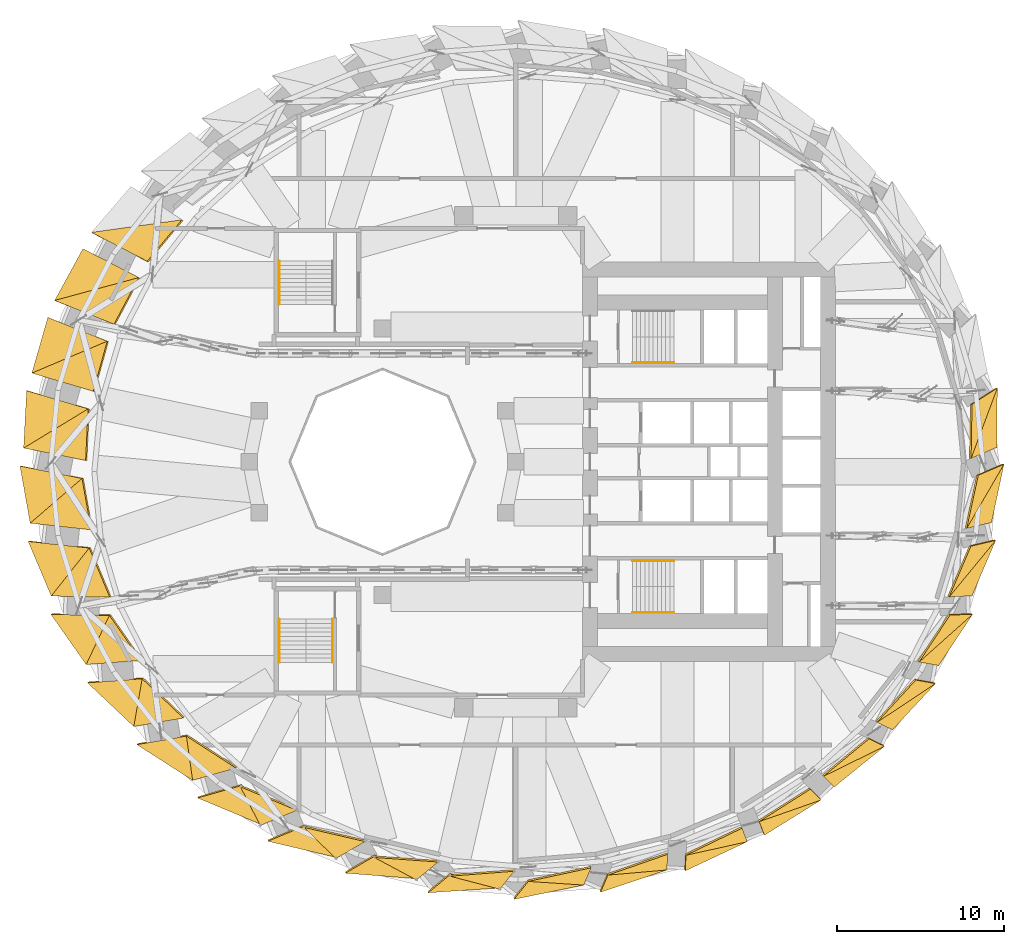
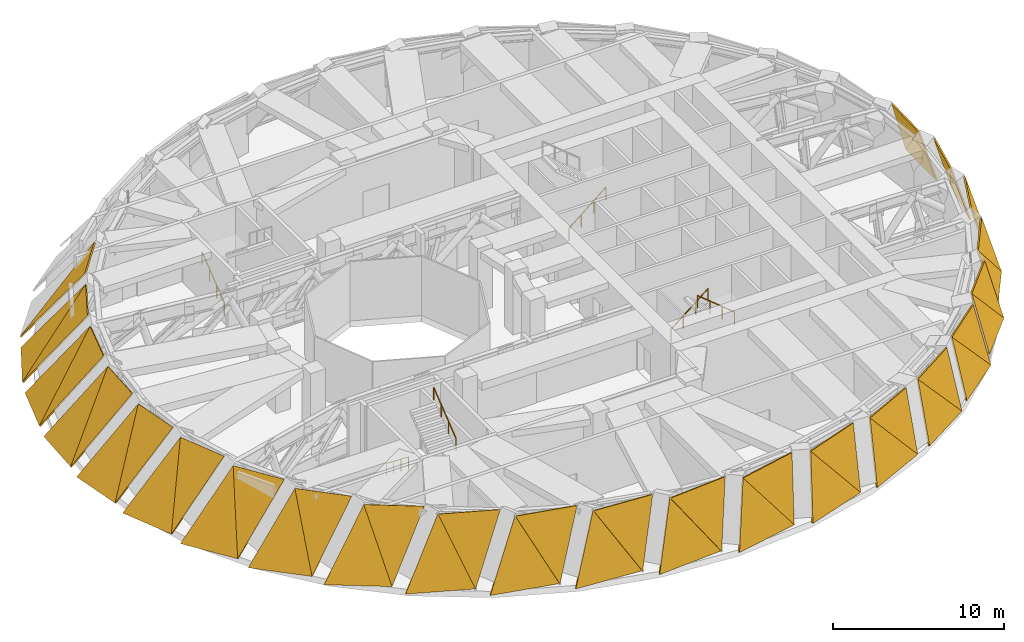
# One storey, part 14 of 15: 45 shading devices, 6 railings.
"""IFC4 building model written with IfcOpenShell, lengths in metres."""

import ifcopenshell
import ifcopenshell.guid

model = None  # the IFC model being written
_history = None  # IfcOwnerHistory: only IFC2X3 demands one
_inside = {}  # id of a spatial element -> (the spatial element, [elements in it])
_under = {}  # id of a project, library or spatial element -> (it, [spatial elements below it])
_declared = {}  # id of a project -> (the project, [libraries it declares])
_typed = {}  # id of a type object -> (the type object, [elements of that type])
_made_of = {}  # id of a material, layer set ... -> (it, [elements and type objects made of it])


def new_model(schema):
    """Start an empty IFC model of exactly this schema.

    Asked for "IFC4X3", IfcOpenShell would pick the latest addendum, in which some entities
    have other attributes; the version numbers below select the first issue.
    IFC2X3 requires an IfcOwnerHistory on every rooted entity: one is made here for all.
    """
    global model, _history
    if schema == "IFC4X3":
        model = ifcopenshell.file(schema_version=(4, 3, 0, 0))
    else:
        model = ifcopenshell.file(schema=schema)
    _inside.clear()
    _under.clear()
    _declared.clear()
    _typed.clear()
    _made_of.clear()
    _history = None
    if model.schema == "IFC2X3":
        org = make("IfcOrganization", Name="unknown")
        user = make(
            "IfcPersonAndOrganization",
            ThePerson=make("IfcPerson", FamilyName="unknown"),
            TheOrganization=org,
        )
        app = make(
            "IfcApplication",
            ApplicationDeveloper=org,
            Version="unknown",
            ApplicationFullName="unknown",
            ApplicationIdentifier="unknown",
        )
        _history = make(
            "IfcOwnerHistory",
            OwningUser=user,
            OwningApplication=app,
            ChangeAction="ADDED",
            CreationDate=0,
        )
    return model


def make(cls, **values):
    """One entity of the class cls with the attributes given. An attribute that is None is left unset."""
    return model.create_entity(
        cls, **{name: value for name, value in values.items() if value is not None}
    )


def rooted(cls, **values):
    """An entity with a GlobalId (a new one), such as an element, a storey or a relation."""
    return make(cls, GlobalId=ifcopenshell.guid.new(), OwnerHistory=_history, **values)


def si_unit(unit_type, name, prefix=None):
    """IfcSIUnit, for example si_unit("LENGTHUNIT", "METRE", prefix="MILLI")."""
    return make("IfcSIUnit", UnitType=unit_type, Prefix=prefix, Name=name)


def assignment(units):
    """IfcUnitAssignment: the units of a project."""
    return None if units is None else make("IfcUnitAssignment", Units=units)


def point(xyz):
    """IfcCartesianPoint."""
    return None if xyz is None else make("IfcCartesianPoint", Coordinates=xyz)


def direction(xyz):
    """IfcDirection."""
    return None if xyz is None else make("IfcDirection", DirectionRatios=xyz)


def frame(location, z_axis=None, x_axis=None):
    """IfcAxis2Placement3D, a coordinate frame: its origin and axes. An axis left out is left unset."""
    return make(
        "IfcAxis2Placement3D",
        Location=point(location),
        Axis=direction(z_axis),
        RefDirection=direction(x_axis),
    )


def frame_2d(location, x_axis=None):
    """IfcAxis2Placement2D, a coordinate frame in the plane: its origin and x axis."""
    return make(
        "IfcAxis2Placement2D", Location=point(location), RefDirection=direction(x_axis)
    )


def origin():
    """The frame at (0, 0, 0) with its axes left unset."""
    return frame((0.0, 0.0, 0.0))


def origin_2d():
    """The frame at (0, 0) in the plane with its x axis left unset."""
    return frame_2d((0.0, 0.0))


def place(relative_to, where):
    """IfcLocalPlacement: puts the frame where relative to a parent placement (None: the world)."""
    return make(
        "IfcLocalPlacement", PlacementRelTo=relative_to, RelativePlacement=where
    )


def context(
    kind, dimensions, precision=None, world=None, true_north=None, identifier=None
):
    """IfcGeometricRepresentationContext, for example the 3D "Model" context."""
    return make(
        "IfcGeometricRepresentationContext",
        ContextIdentifier=identifier,
        ContextType=kind,
        CoordinateSpaceDimension=dimensions,
        Precision=precision,
        WorldCoordinateSystem=world,
        TrueNorth=true_north,
    )


def subcontext(parent, identifier, kind, view, scale=None):
    """IfcGeometricRepresentationSubContext, for example "Body" below "Model"."""
    return make(
        "IfcGeometricRepresentationSubContext",
        ContextIdentifier=identifier,
        ContextType=kind,
        ParentContext=parent,
        TargetScale=scale,
        TargetView=view,
    )


def project(units=None, contexts=None):
    """IfcProject with its units and contexts."""
    return rooted(
        "IfcProject",
        Name="project",
        RepresentationContexts=contexts,
        UnitsInContext=assignment(units),
    )


def spatial(cls, under=None, at=None, **own):
    """A site, building, storey or space (cls), placed at a placement, below another one or the project."""
    s = rooted(cls, ObjectPlacement=at, **own)
    if under is not None:
        _under.setdefault(under.id(), (under, []))[1].append(s)
    return s


def polyline(points):
    """IfcPolyline through the points."""
    return make("IfcPolyline", Points=[point(p) for p in points])


def profile(cls, at=None, kind="AREA", **sizes):
    """A parametric profile (cls). Its sizes go by their IFC names, for example OverallWidth=200.0."""
    return make(cls, ProfileType=kind, Position=at, **sizes)


def circle(**sizes):
    """IfcCircleProfileDef."""
    return profile("IfcCircleProfileDef", **sizes)


def outline(outer, holes=None, kind="AREA"):
    """IfcArbitraryClosedProfileDef: a profile drawn as a closed curve; with holes, ...WithVoids."""
    if holes is None:
        return make("IfcArbitraryClosedProfileDef", ProfileType=kind, OuterCurve=outer)
    return make(
        "IfcArbitraryProfileDefWithVoids",
        ProfileType=kind,
        OuterCurve=outer,
        InnerCurves=holes,
    )


def extrude(swept, where, along, depth):
    """IfcExtrudedAreaSolid: the profile swept, set in the frame where, extruded along a direction by depth."""
    return make(
        "IfcExtrudedAreaSolid",
        SweptArea=swept,
        Position=where,
        ExtrudedDirection=direction(along),
        Depth=depth,
    )


def shape(context_of_items, identifier, shape_type, items):
    """IfcShapeRepresentation: the items that make up one representation, for example the "Body"."""
    return make(
        "IfcShapeRepresentation",
        ContextOfItems=context_of_items,
        RepresentationIdentifier=identifier,
        RepresentationType=shape_type,
        Items=items,
    )


def material(Name=None, Category=None):
    """IfcMaterial."""
    return make("IfcMaterial", Name=Name, Category=Category)


def layer(
    of_material, thickness, ventilated=None, Name=None, Category=None, Priority=None
):
    """IfcMaterialLayer: one layer of a wall or slab, of a material (None: an air gap)."""
    return make(
        "IfcMaterialLayer",
        Material=of_material,
        LayerThickness=thickness,
        IsVentilated=ventilated,
        Name=Name,
        Category=Category,
        Priority=Priority,
    )


def layer_set(layers, Name=None):
    """IfcMaterialLayerSet."""
    return make("IfcMaterialLayerSet", MaterialLayers=layers, LayerSetName=Name)


def made_of(thing, what):
    """Note that an element or type object is made of a material, layer set ...; save() writes the relation."""
    if what is not None:
        _made_of.setdefault(what.id(), (what, []))[1].append(thing)
    return thing


def type_object(cls, material=None, **own):
    """A type object (cls), such as IfcWallType, which elements share."""
    return made_of(rooted(cls, **own), material)


def element(
    cls,
    number,
    at=None,
    inside=None,
    cuts=None,
    type_object=None,
    material=None,
    context=None,
    identifier="Body",
    shape_type=None,
    held_by="IfcProductDefinitionShape",
    body=None,
    shapes=None,
    **own,
):
    """One element of the class cls, such as IfcWall. Its Tag is "e" and its number.

    at: its placement. inside: the storey or other place that contains it. cuts: it is an
    opening in that element (IfcRelVoidsElement). A single representation is given by context,
    identifier, shape_type and body (its items); several are given by shapes. held_by: the class
    of the entity that holds the representations. save() writes the other relations.
    """
    e = rooted(cls, Tag="e%d" % number, ObjectPlacement=at, **own)
    if body is not None:
        shapes = [shape(context, identifier, shape_type, body)]
    if shapes is not None:
        e.Representation = make(held_by, Representations=shapes)
    if inside is not None:
        _inside.setdefault(inside.id(), (inside, []))[1].append(e)
    if cuts is not None:
        rooted(
            "IfcRelVoidsElement", RelatingBuildingElement=cuts, RelatedOpeningElement=e
        )
    if type_object is not None:
        _typed.setdefault(type_object.id(), (type_object, []))[1].append(e)
    return made_of(e, material)


def aggregate(whole, parts):
    """IfcRelAggregates: a whole, such as a stair, and the parts it consists of."""
    return rooted("IfcRelAggregates", RelatingObject=whole, RelatedObjects=parts)


def save(model, path):
    """Write the relations noted so far, then the file.

    IfcRelAggregates (storeys below a building ...), IfcRelContainedInSpatialStructure (elements
    in a storey), IfcRelDefinesByType, IfcRelAssociatesMaterial and IfcRelDeclares: one each for
    every whole, place, type object, material and project.
    """
    for whole, parts in _under.values():
        aggregate(whole, parts)
    for where, things in _inside.values():
        rooted(
            "IfcRelContainedInSpatialStructure",
            RelatedElements=things,
            RelatingStructure=where,
        )
    for kind, things in _typed.values():
        rooted("IfcRelDefinesByType", RelatedObjects=things, RelatingType=kind)
    for what, things in _made_of.values():
        rooted("IfcRelAssociatesMaterial", RelatedObjects=things, RelatingMaterial=what)
    for by, libraries in _declared.values():
        rooted("IfcRelDeclares", RelatingContext=by, RelatedDefinitions=libraries)
    model.write(path)


model = new_model("IFC4")

# Units and contexts
model_context = context("Model", 3, precision=1e-05, world=origin(), true_north=direction((0.0, 1.0)))
body_context = subcontext(model_context, "Body", "Model", "MODEL_VIEW")
ifc_project = project(units=[si_unit("LENGTHUNIT", "METRE"), si_unit("AREAUNIT", "SQUARE_METRE"), si_unit("VOLUMEUNIT", "CUBIC_METRE"), si_unit("PLANEANGLEUNIT", "RADIAN"), si_unit("MASSUNIT", "GRAM", prefix="KILO")], contexts=[model_context])

# Site, building, storey
site_placement = place(None, origin())
site = spatial("IfcSite", under=ifc_project, at=site_placement, CompositionType="ELEMENT")
building_placement = place(site_placement, origin())
building = spatial("IfcBuilding", under=site, at=building_placement, Name="Taillehof Tower", CompositionType="ELEMENT")
storey_placement = place(building_placement, frame((0.0, 0.0, 84.39990234375)))
storey = spatial("IfcBuildingStorey", under=building, at=storey_placement, Name="L23", CompositionType="ELEMENT", Elevation=84.39990234375)

# Shading devices
ifc_material_1 = material(Name="Aluminium louvre blades", Category="aluminium")
ifc_layer = layer(ifc_material_1, 0.10009765625)
ifc_layer_set = layer_set([ifc_layer], Name="Louvre panel 100")
shading_device_type = type_object("IfcShadingDeviceType", Name="Louvre panel 100", PredefinedType="USERDEFINED", material=ifc_layer_set)
shading_device_1_placement = place(storey_placement, frame((28.866943359375, 0.86279296875, 0.0), z_axis=(0.9432468812, -0.008922343519, 0.331972458034), x_axis=(0.009458758418, 0.999955264944, 0.0)))
element("IfcShadingDevice", 1, at=shading_device_1_placement, inside=storey, type_object=shading_device_type, Name="Louvre panel L23 bay 1a", ObjectType="LOUVER", PredefinedType="USERDEFINED", context=body_context, shape_type="SweptSolid", body=[
    extrude(outline(polyline([(0.0, 0.0), (3.561926921125352, 0.0), (-0.6749446328247951, 4.6222388423697085), (0.0, 0.0)])), origin(), (0.0, 0.0, -1.0), 0.10009765625),
])
shading_device_2_placement = place(storey_placement, frame((28.900634765625, 4.424560546875, 0.0), z_axis=(0.94546226615, -0.016631947848, 0.325306750003), x_axis=(-0.32158237832, -0.206557820475, 0.924077183332)))
element("IfcShadingDevice", 2, at=shading_device_2_placement, inside=storey, type_object=shading_device_type, Name="Louvre panel L23 bay 1b", ObjectType="LOUVER", PredefinedType="USERDEFINED", context=body_context, shape_type="SweptSolid", body=[
    extrude(outline(polyline([(0.0, 0.0), (4.718336845146462, 0.0), (5.4075171196787535, 3.1741031931814057), (0.0, 0.0)])), origin(), (0.0, 0.0, -1.0), 0.10009765625),
])
shading_device_3_placement = place(storey_placement, frame((-25.470947265625, 13.764892578125, 0.0), z_axis=(-0.5859557478, 0.489885190561, 0.645498537326), x_axis=(0.581310895897, -0.300857598102, 0.756017425709)))
element("IfcShadingDevice", 3, at=shading_device_3_placement, inside=storey, type_object=shading_device_type, Name="Louvre panel L23 bay 15b", ObjectType="LOUVER", PredefinedType="USERDEFINED", context=body_context, shape_type="SweptSolid", body=[
    extrude(outline(polyline([(0.0, 0.0), (5.767204926246643, -2.7755575615628914e-16), (6.228438403264014, 3.214233987699142), (0.0, 0.0)])), origin(), (0.0, 0.0, -1.0), 0.10009765625),
])
shading_device_4_placement = place(storey_placement, frame((-25.9765625, 12.787841796875, 0.0), z_axis=(-0.663538596985, 0.362493986492, 0.654457515863), x_axis=(-0.479426759737, -0.877581894782, 0.0)))
element("IfcShadingDevice", 4, at=shading_device_4_placement, inside=storey, type_object=shading_device_type, Name="Louvre panel L23 bay 16a", ObjectType="LOUVER", PredefinedType="USERDEFINED", context=body_context, shape_type="SweptSolid", body=[
    extrude(outline(polyline([(0.0, 0.0), (3.5417256387774927, 1.1102230246251565e-16), (-0.08459808068591124, 5.766584415931826), (0.0, 0.0)])), origin(), (0.0, 0.0, -1.0), 0.10009765625),
])
shading_device_5_placement = place(storey_placement, frame((-27.674560546875, 9.6796875, 0.0), z_axis=(-0.664514076254, 0.35330210964, 0.65848208919), x_axis=(0.613399417793, -0.245393394167, 0.750681847623)))
element("IfcShadingDevice", 5, at=shading_device_5_placement, inside=storey, type_object=shading_device_type, Name="Louvre panel L23 bay 16b", ObjectType="LOUVER", PredefinedType="USERDEFINED", context=body_context, shape_type="SweptSolid", body=[
    extrude(outline(polyline([(0.0, 0.0), (5.808196156175807, 2.7755575615628914e-16), (6.034113384713633, 3.1612015444812283), (0.0, 0.0)])), origin(), (0.0, 0.0, -1.0), 0.10009765625),
])
shading_device_6_placement = place(storey_placement, frame((-28.083251953125, 8.658447265625, 0.0), z_axis=(-0.723043664628, 0.20789818569, 0.6587762924), x_axis=(-0.276335824289, -0.961061138645, 0.0)))
element("IfcShadingDevice", 6, at=shading_device_6_placement, inside=storey, type_object=shading_device_type, Name="Louvre panel L23 bay 17a", ObjectType="LOUVER", PredefinedType="USERDEFINED", context=body_context, shape_type="SweptSolid", body=[
    extrude(outline(polyline([(0.0, 0.0), (3.473892463886985, 0.0), (0.3852798446193282, 5.79540352606663), (0.0, 0.0)])), origin(), (0.0, 0.0, -1.0), 0.10009765625),
])
shading_device_7_placement = place(storey_placement, frame((-29.043212890625, 5.31982421875, 0.0), z_axis=(-0.722622501183, 0.200943783443, 0.661391197915), x_axis=(0.634257180625, -0.187677636245, 0.749996622445)))
element("IfcShadingDevice", 7, at=shading_device_7_placement, inside=storey, type_object=shading_device_type, Name="Louvre panel L23 bay 17b", ObjectType="LOUVER", PredefinedType="USERDEFINED", context=body_context, shape_type="SweptSolid", body=[
    extrude(outline(polyline([(0.0, 0.0), (5.813502743067873, 1.8735013540549517e-16), (5.779534745134219, 3.118205905906676), (0.0, 0.0)])), origin(), (0.0, 0.0, -1.0), 0.10009765625),
])
shading_device_8_placement = place(storey_placement, frame((-29.355224609375, 4.26513671875, 0.0), z_axis=(-0.757987845377, 0.040052339754, 0.651037814832), x_axis=(-0.052766731954, -0.998606865588, 0.0)))
element("IfcShadingDevice", 8, at=shading_device_8_placement, inside=storey, type_object=shading_device_type, Name="Louvre panel L23 bay 18a", ObjectType="LOUVER", PredefinedType="USERDEFINED", context=body_context, shape_type="SweptSolid", body=[
    extrude(outline(polyline([(0.0, 0.0), (3.451585866798062, -1.3877787807814457e-17), (0.8949800121113698, 5.7441992411108815), (0.0, 0.0)])), origin(), (0.0, 0.0, -1.0), 0.10009765625),
])
shading_device_9_placement = place(storey_placement, frame((-29.537353515625, 0.818359375, 0.0), z_axis=(-0.757095157225, 0.036253749358, 0.652297929296), x_axis=(0.643749683548, -0.128741489105, 0.754328823468)))
element("IfcShadingDevice", 9, at=shading_device_9_placement, inside=storey, type_object=shading_device_type, Name="Louvre panel L23 bay 18b", ObjectType="LOUVER", PredefinedType="USERDEFINED", context=body_context, shape_type="SweptSolid", body=[
    extrude(outline(polyline([(0.0, 0.0), (5.78011509864873, 0.0), (5.47659193469053, 3.0885270273513434), (0.0, 0.0)])), origin(), (0.0, 0.0, -1.0), 0.10009765625),
])
shading_device_10_placement = place(storey_placement, frame((-29.7529296875, -0.26025390625, 0.0), z_axis=(-0.76493549629, -0.135889246225, 0.629609243321), x_axis=(0.174909452316, -0.984584523284, 0.0)))
element("IfcShadingDevice", 10, at=shading_device_10_placement, inside=storey, type_object=shading_device_type, Name="Louvre panel L23 bay 19a", ObjectType="LOUVER", PredefinedType="USERDEFINED", context=body_context, shape_type="SweptSolid", body=[
    extrude(outline(polyline([(0.0, 0.0), (3.4811538809719593, 0.0), (1.3834981908506427, 5.612099723770062), (0.0, 0.0)])), origin(), (0.0, 0.0, -1.0), 0.10009765625),
])
shading_device_11_placement = place(storey_placement, frame((-29.14404296875, -3.687744140625, 0.0), z_axis=(-0.764666471726, -0.136512960444, 0.629801078634), x_axis=(0.641589768826, -0.069676648895, 0.763876778765)))
element("IfcShadingDevice", 11, at=shading_device_11_placement, inside=storey, type_object=shading_device_type, Name="Louvre panel L23 bay 19b", ObjectType="LOUVER", PredefinedType="USERDEFINED", context=body_context, shape_type="SweptSolid", body=[
    extrude(outline(polyline([(0.0, 0.0), (5.707867476905781, 0.0), (5.1402842107399485, 3.077872794099187), (0.0, 0.0)])), origin(), (0.0, 0.0, -1.0), 0.10009765625),
])
shading_device_12_placement = place(storey_placement, frame((-29.262939453125, -4.78125, 0.0), z_axis=(-0.741161258182, -0.312848938976, 0.593974351931), x_axis=(0.388881504071, -0.921287781202, 0.0)))
element("IfcShadingDevice", 12, at=shading_device_12_placement, inside=storey, type_object=shading_device_type, Name="Louvre panel L23 bay 20a", ObjectType="LOUVER", PredefinedType="USERDEFINED", context=body_context, shape_type="SweptSolid", body=[
    extrude(outline(polyline([(0.0, 0.0), (3.5602657104567714, -1.1102230246251565e-16), (1.790527430821084, 5.419756696881882), (0.0, 0.0)])), origin(), (0.0, 0.0, -1.0), 0.10009765625),
])
shading_device_13_placement = place(storey_placement, frame((-27.87841796875, -8.061279296875, 0.0), z_axis=(-0.742292976469, -0.31115917993, 0.593448482878), x_axis=(0.627355968866, -0.011553918392, 0.778646900269)))
element("IfcShadingDevice", 13, at=shading_device_13_placement, inside=storey, type_object=shading_device_type, Name="Louvre panel L23 bay 20b", ObjectType="LOUVER", PredefinedType="USERDEFINED", context=body_context, shape_type="SweptSolid", body=[
    extrude(outline(polyline([(0.0, 0.0), (5.599595169991398, 1.1102230246251565e-16), (4.790540347878245, 3.091352358944946), (0.0, 0.0)])), origin(), (0.0, 0.0, -1.0), 0.10009765625),
])
shading_device_14_placement = place(storey_placement, frame((-27.898681640625, -9.1611328125, 0.0), z_axis=(-0.685682647471, -0.482169278952, 0.54530000311), x_axis=(0.575215602796, -0.818001840035, 0.0)))
element("IfcShadingDevice", 14, at=shading_device_14_placement, inside=storey, type_object=shading_device_type, Name="Louvre panel L23 bay 21a", ObjectType="LOUVER", PredefinedType="USERDEFINED", context=body_context, shape_type="SweptSolid", body=[
    extrude(outline(polyline([(0.0, 0.0), (3.6794118028772944, 1.1102230246251565e-16), (2.073620067439929, 5.201496504247735), (0.0, 0.0)])), origin(), (0.0, 0.0, -1.0), 0.10009765625),
])
shading_device_15_placement = place(storey_placement, frame((-25.7822265625, -12.1708984375, 0.0), z_axis=(-0.688302033312, -0.479510865483, 0.544343311544), x_axis=(0.600488035433, 0.044392839427, 0.798400522989)))
element("IfcShadingDevice", 15, at=shading_device_15_placement, inside=storey, type_object=shading_device_type, Name="Louvre panel L23 bay 21b", ObjectType="LOUVER", PredefinedType="USERDEFINED", context=body_context, shape_type="SweptSolid", body=[
    extrude(outline(polyline([(0.0, 0.0), (5.4610528128787, 0.0), (4.450424151550718, 3.1349414432480924), (0.0, 0.0)])), origin(), (0.0, 0.0, -1.0), 0.10009765625),
])
shading_device_16_placement = place(storey_placement, frame((-25.701171875, -13.267822265625, 0.0), z_axis=(-0.600101411465, -0.63486644581, 0.486644523181), x_axis=(0.726724340919, -0.686929204733, 0.0)))
element("IfcShadingDevice", 16, at=shading_device_16_placement, inside=storey, type_object=shading_device_type, Name="Louvre panel L23 bay 22a", ObjectType="LOUVER", PredefinedType="USERDEFINED", context=body_context, shape_type="SweptSolid", body=[
    extrude(outline(polyline([(0.0, 0.0), (3.8220653062353236, 2.220446049250313e-16), (2.2166114860669612, 4.990964971314303), (0.0, 0.0)])), origin(), (0.0, 0.0, -1.0), 0.10009765625),
])
shading_device_17_placement = place(storey_placement, frame((-22.923583984375, -15.893310546875, 0.0), z_axis=(-0.603392697188, -0.632596178335, 0.485529945664), x_axis=(0.56052528963, 0.096621646343, 0.822481402309)))
element("IfcShadingDevice", 17, at=shading_device_17_placement, inside=storey, type_object=shading_device_type, Name="Louvre panel L23 bay 22b", ObjectType="LOUVER", PredefinedType="USERDEFINED", context=body_context, shape_type="SweptSolid", body=[
    extrude(outline(polyline([(0.0, 0.0), (5.301162323715784, -2.220446049250313e-16), (4.144430984768338, 3.2110598135306834), (0.0, 0.0)])), origin(), (0.0, 0.0, -1.0), 0.10009765625),
])
shading_device_18_placement = place(storey_placement, frame((-22.736572265625, -16.9775390625, 0.0), z_axis=(-0.488975582891, -0.762937859677, 0.422881427361), x_axis=(0.8419228294, -0.539597951567, 0.0)))
element("IfcShadingDevice", 18, at=shading_device_18_placement, inside=storey, type_object=shading_device_type, Name="Louvre panel L23 bay 23a", ObjectType="LOUVER", PredefinedType="USERDEFINED", context=body_context, shape_type="SweptSolid", body=[
    extrude(outline(polyline([(0.0, 0.0), (3.9706935854307943, -1.1102230246251565e-16), (2.224996272815945, 4.811497988399717), (0.0, 0.0)])), origin(), (0.0, 0.0, -1.0), 0.10009765625),
])
shading_device_19_placement = place(storey_placement, frame((-19.3935546875, -19.1201171875, 0.0), z_axis=(-0.491591190432, -0.761772509926, 0.421948746426), x_axis=(0.507240971938, 0.143369329123, 0.849795170529)))
element("IfcShadingDevice", 19, at=shading_device_19_placement, inside=storey, type_object=shading_device_type, Name="Louvre panel L23 bay 23b", ObjectType="LOUVER", PredefinedType="USERDEFINED", context=body_context, shape_type="SweptSolid", body=[
    extrude(outline(polyline([(0.0, 0.0), (5.1307745361284205, -2.220446049250313e-16), (3.897242530377423, 3.3180525401299192), (0.0, 0.0)])), origin(), (0.0, 0.0, -1.0), 0.10009765625),
])
shading_device_20_placement = place(storey_placement, frame((-19.094482421875, -20.178466796875, 0.0), z_axis=(-0.35914043337, -0.861215985937, 0.359618095603), x_axis=(0.922962569947, -0.384889717293, 0.0)))
element("IfcShadingDevice", 20, at=shading_device_20_placement, inside=storey, type_object=shading_device_type, Name="Louvre panel L23 bay 24a", ObjectType="LOUVER", PredefinedType="USERDEFINED", context=body_context, shape_type="SweptSolid", body=[
    extrude(outline(polyline([(0.0, 0.0), (4.107177915778896, 1.1102230246251565e-16), (2.119016886509905, 4.672713949867347), (0.0, 0.0)])), origin(), (0.0, 0.0, -1.0), 0.10009765625),
])
shading_device_21_placement = place(storey_placement, frame((-15.33251953125, -21.828369140625, 0.02880859375), z_axis=(-0.359754980897, -0.861046782999, 0.359408947033), x_axis=(0.441183690526, 0.182436614751, 0.878677320074)))
element("IfcShadingDevice", 21, at=shading_device_21_placement, inside=storey, type_object=shading_device_type, Name="Louvre panel L23 bay 24b", ObjectType="LOUVER", PredefinedType="USERDEFINED", context=body_context, shape_type="SweptSolid", body=[
    extrude(outline(polyline([(0.0, 0.0), (4.962125825107697, 2.220446049250313e-16), (3.7294960542394895, 3.4465968889812943), (0.0, 0.0)])), origin(), (0.0, 0.0, -1.0), 0.10009765625),
])
shading_device_22_placement = place(storey_placement, frame((-14.883544921875, -22.77587890625, 0.0), z_axis=(-0.218395970432, -0.927851636766, 0.302315299399), x_axis=(0.973398935864, -0.229116807894, 0.0)))
element("IfcShadingDevice", 22, at=shading_device_22_placement, inside=storey, type_object=shading_device_type, Name="Louvre panel L23 bay 25a", ObjectType="LOUVER", PredefinedType="USERDEFINED", context=body_context, shape_type="SweptSolid", body=[
    extrude(outline(polyline([(0.0, 0.0), (4.215405763449422, -5.551115123125783e-17), (1.9237979817269217, 4.574140688589303), (0.0, 0.0)])), origin(), (0.0, 0.0, -1.0), 0.10009765625),
])
shading_device_23_placement = place(storey_placement, frame((-10.79736328125, -23.81591796875, 0.0244140625), z_axis=(-0.215948123468, -0.928045099912, 0.303477677104), x_axis=(0.36399960251, 0.211888704014, 0.906977103616)))
element("IfcShadingDevice", 23, at=shading_device_23_placement, inside=storey, type_object=shading_device_type, Name="Louvre panel L23 bay 25b", ObjectType="LOUVER", PredefinedType="USERDEFINED", context=body_context, shape_type="SweptSolid", body=[
    extrude(outline(polyline([(0.0, 0.0), (4.807026840994066, 0.0), (3.6540418115887103, 3.5806442640324985), (0.0, 0.0)])), origin(), (0.0, 0.0, -1.0), 0.10009765625),
])
shading_device_24_placement = place(storey_placement, frame((-10.226806640625, -24.6923828125, 0.0), z_axis=(-0.074194828268, -0.964091787816, 0.254994415867), x_axis=(0.997051802211, -0.076731373686, 0.0)))
element("IfcShadingDevice", 24, at=shading_device_24_placement, inside=storey, type_object=shading_device_type, Name="Louvre panel L23 bay 26a", ObjectType="LOUVER", PredefinedType="USERDEFINED", context=body_context, shape_type="SweptSolid", body=[
    extrude(outline(polyline([(0.0, 0.0), (4.282645617590879, 0.0), (1.6664421326724428, 4.5091691659982045), (0.0, 0.0)])), origin(), (0.0, 0.0, -1.0), 0.10009765625),
])
shading_device_25_placement = place(storey_placement, frame((-5.96240234375, -25.09814453125, 0.020751953125), z_axis=(-0.068694065102, -0.96368663373, 0.258048827531), x_axis=(0.27847050095, 0.229856955781, 0.932534160221)))
element("IfcShadingDevice", 25, at=shading_device_25_placement, inside=storey, type_object=shading_device_type, Name="Louvre panel L23 bay 26b", ObjectType="LOUVER", PredefinedType="USERDEFINED", context=body_context, shape_type="SweptSolid", body=[
    extrude(outline(polyline([(0.0, 0.0), (4.675547135817258, 0.0), (3.6737859541236775, 3.6987057202989138), (0.0, 0.0)])), origin(), (0.0, 0.0, -1.0), 0.10009765625),
])
shading_device_26_placement = place(storey_placement, frame((-5.256591796875, -25.869384765625, 0.0), z_axis=(0.066391433701, -0.973224219125, 0.22006089348), x_axis=(0.997681240536, 0.068059843389, 0.0)))
element("IfcShadingDevice", 26, at=shading_device_26_placement, inside=storey, type_object=shading_device_type, Name="Louvre panel L23 bay 27a", ObjectType="LOUVER", PredefinedType="USERDEFINED", context=body_context, shape_type="SweptSolid", body=[
    extrude(outline(polyline([(0.0, 0.0), (4.300988582980416, 0.0), (1.3721273160101266, 4.469676458974163), (0.0, 0.0)])), origin(), (0.0, 0.0, -1.0), 0.10009765625),
])
shading_device_27_placement = place(storey_placement, frame((-0.959716796875, -25.654296875, 0.01806640625), z_axis=(0.074461298234, -0.971445870172, 0.22527413609), x_axis=(0.188452221806, 0.235538584309, 0.953418761824)))
element("IfcShadingDevice", 27, at=shading_device_27_placement, inside=storey, type_object=shading_device_type, Name="Louvre panel L23 bay 27b", ObjectType="LOUVER", PredefinedType="USERDEFINED", context=body_context, shape_type="SweptSolid", body=[
    extrude(outline(polyline([(0.0, 0.0), (4.573129454189966, -1.1102230246251565e-16), (3.777908984712393, 3.779370274569032), (0.0, 0.0)])), origin(), (0.0, 0.0, -1.0), 0.10009765625),
])
shading_device_28_placement = place(storey_placement, frame((-0.106689453125, -26.263671875, 0.0), z_axis=(0.19692971839, -0.960158470454, 0.198278585908), x_axis=(0.979607894914, 0.200918819981, 0.0)))
element("IfcShadingDevice", 28, at=shading_device_28_placement, inside=storey, type_object=shading_device_type, Name="Louvre panel L23 bay 28a", ObjectType="LOUVER", PredefinedType="USERDEFINED", context=body_context, shape_type="SweptSolid", body=[
    extrude(outline(polyline([(0.0, 0.0), (4.269934276604329, -2.7755575615628914e-17), (1.0606615485352424, 4.448427821628518), (0.0, 0.0)])), origin(), (0.0, 0.0, -1.0), 0.10009765625),
])
shading_device_29_placement = place(storey_placement, frame((4.076171875, -25.40576171875, 0.0), z_axis=(0.206338776574, -0.956706746257, 0.205271797742), x_axis=(0.098100791636, 0.228956076444, 0.968480949601)))
element("IfcShadingDevice", 29, at=shading_device_29_placement, inside=storey, type_object=shading_device_type, Name="Louvre panel L23 bay 28b", ObjectType="LOUVER", PredefinedType="USERDEFINED", context=body_context, shape_type="SweptSolid", body=[
    extrude(outline(polyline([(0.0, 0.0), (4.502006388119538, 0.0), (3.9470797770856945, 3.8090028564819662), (0.0, 0.0)])), origin(), (0.0, 0.0, -1.0), 0.10009765625),
])
shading_device_30_placement = place(storey_placement, frame((5.087158203125, -25.839111328125, 0.0), z_axis=(0.31318317277, -0.930821462676, 0.188381806223), x_axis=(0.947790834331, 0.318892669025, 0.0)))
element("IfcShadingDevice", 30, at=shading_device_30_placement, inside=storey, type_object=shading_device_type, Name="Louvre panel L23 bay 29a", ObjectType="LOUVER", PredefinedType="USERDEFINED", context=body_context, shape_type="SweptSolid", body=[
    extrude(outline(polyline([(0.0, 0.0), (4.2030819816231455, 0.0), (0.7473724024895037, 4.4395945053452035), (0.0, 0.0)])), origin(), (0.0, 0.0, -1.0), 0.10009765625),
])
shading_device_31_placement = place(storey_placement, frame((9.07080078125, -24.498779296875, 0.0), z_axis=(0.322528129378, -0.925978007666, 0.196316925097), x_axis=(0.011109968879, 0.211089408701, 0.977403616796)))
element("IfcShadingDevice", 31, at=shading_device_31_placement, inside=storey, type_object=shading_device_type, Name="Louvre panel L23 bay 29b", ObjectType="LOUVER", PredefinedType="USERDEFINED", context=body_context, shape_type="SweptSolid", body=[
    extrude(outline(polyline([(0.0, 0.0), (4.460907804052917, -5.551115123125783e-17), (4.156937862070501, 3.7910151250149435), (0.0, 0.0)])), origin(), (0.0, 0.0, -1.0), 0.10009765625),
])
shading_device_32_placement = place(storey_placement, frame((10.169189453125, -24.556640625, 0.0), z_axis=(0.417898544734, -0.888988414066, 0.187244241473), x_axis=(0.904994703423, 0.425422832928, 0.0)))
element("IfcShadingDevice", 32, at=shading_device_32_placement, inside=storey, type_object=shading_device_type, Name="Louvre panel L23 bay 30a", ObjectType="LOUVER", PredefinedType="USERDEFINED", context=body_context, shape_type="SweptSolid", body=[
    extrude(outline(polyline([(0.0, 0.0), (4.116423867217451, 5.551115123125783e-17), (0.44545160922826793, 4.43861141575788), (0.0, 0.0)])), origin(), (0.0, 0.0, -1.0), 0.10009765625),
])
shading_device_33_placement = place(storey_placement, frame((13.89453125, -22.805419921875, 0.0), z_axis=(0.426297466938, -0.883227854681, 0.195394540349), x_axis=(-0.069951882605, 0.183170706726, 0.980589224047)))
element("IfcShadingDevice", 33, at=shading_device_33_placement, inside=storey, type_object=shading_device_type, Name="Louvre panel L23 bay 30b", ObjectType="LOUVER", PredefinedType="USERDEFINED", context=body_context, shape_type="SweptSolid", body=[
    extrude(outline(polyline([(0.0, 0.0), (4.446415802816374, 8.326672684688674e-17), (4.384312605774141, 3.735654105223386), (0.0, 0.0)])), origin(), (0.0, 0.0, -1.0), 0.10009765625),
])
shading_device_34_placement = place(storey_placement, frame((14.922119140625, -22.412841796875, 0.0), z_axis=(0.517985999054, -0.833416992938, 0.192630788467), x_axis=(0.84932371546, 0.527872358016, 0.0)))
element("IfcShadingDevice", 34, at=shading_device_34_placement, inside=storey, type_object=shading_device_type, Name="Louvre panel L23 bay 31a", ObjectType="LOUVER", PredefinedType="USERDEFINED", context=body_context, shape_type="SweptSolid", body=[
    extrude(outline(polyline([(0.0, 0.0), (4.007094410000436, 5.551115123125783e-17), (0.16575775704243095, 4.443325090235403), (0.0, 0.0)])), origin(), (0.0, 0.0, -1.0), 0.10009765625),
])
shading_device_35_placement = place(storey_placement, frame((18.325439453125, -20.297607421875, 0.0), z_axis=(0.524873935137, -0.827269089811, 0.200332736361), x_axis=(-0.143379694528, 0.146065323362, 0.978829497159)))
element("IfcShadingDevice", 35, at=shading_device_35_placement, inside=storey, type_object=shading_device_type, Name="Louvre panel L23 bay 31b", ObjectType="LOUVER", PredefinedType="USERDEFINED", context=body_context, shape_type="SweptSolid", body=[
    extrude(outline(polyline([(0.0, 0.0), (4.454409511085097, -1.6653345369377348e-16), (4.610365873883627, 3.639166339672222), (0.0, 0.0)])), origin(), (0.0, 0.0, -1.0), 0.10009765625),
])
shading_device_36_placement = place(storey_placement, frame((19.110595703125, -19.527099609375, 0.0), z_axis=(0.616333708041, -0.760659183904, 0.203790005338), x_axis=(0.776964067102, 0.629544945522, 0.0)))
element("IfcShadingDevice", 36, at=shading_device_36_placement, inside=storey, type_object=shading_device_type, Name="Louvre panel L23 bay 32a", ObjectType="LOUVER", PredefinedType="USERDEFINED", context=body_context, shape_type="SweptSolid", body=[
    extrude(outline(polyline([(0.0, 0.0), (3.8885198972501245, -5.551115123125783e-17), (-0.08662126946372191, 4.45356720485072), (0.0, 0.0)])), origin(), (0.0, 0.0, -1.0), 0.10009765625),
])
shading_device_37_placement = place(storey_placement, frame((22.1318359375, -17.0791015625, 0.0), z_axis=(0.621208911469, -0.754913263232, 0.210250929387), x_axis=(-0.207380658277, 0.100366571872, 0.97309804944)))
element("IfcShadingDevice", 37, at=shading_device_37_placement, inside=storey, type_object=shading_device_type, Name="Louvre panel L23 bay 32b", ObjectType="LOUVER", PredefinedType="USERDEFINED", context=body_context, shape_type="SweptSolid", body=[
    extrude(outline(polyline([(0.0, 0.0), (4.480645526302071, 5.551115123125783e-17), (4.821411819103423, 3.519942643571741), (0.0, 0.0)])), origin(), (0.0, 0.0, -1.0), 0.10009765625),
])
shading_device_38_placement = place(storey_placement, frame((22.61083984375, -16.0888671875, 0.0), z_axis=(0.714911165489, -0.663455174871, 0.220747041648), x_axis=(0.680235848847, 0.732993308253, 0.0)))
element("IfcShadingDevice", 38, at=shading_device_38_placement, inside=storey, type_object=shading_device_type, Name="Louvre panel L23 bay 33a", ObjectType="LOUVER", PredefinedType="USERDEFINED", context=body_context, shape_type="SweptSolid", body=[
    extrude(outline(polyline([(0.0, 0.0), (3.785379991719364, 0.0), (-0.3022763015283638, 4.470386976420913), (0.0, 0.0)])), origin(), (0.0, 0.0, -1.0), 0.10009765625),
])
shading_device_39_placement = place(storey_placement, frame((25.185791015625, -13.314208984375, 0.0), z_axis=(0.71766725685, -0.658903200699, 0.225389175769), x_axis=(-0.259777365817, 0.046986758474, 0.964524735161)))
element("IfcShadingDevice", 39, at=shading_device_39_placement, inside=storey, type_object=shading_device_type, Name="Louvre panel L23 bay 33b", ObjectType="LOUVER", PredefinedType="USERDEFINED", context=body_context, shape_type="SweptSolid", body=[
    extrude(outline(polyline([(0.0, 0.0), (4.5204723766336485, 0.0), (5.0064250728746185, 3.410132208635588), (0.0, 0.0)])), origin(), (0.0, 0.0, -1.0), 0.10009765625),
])
shading_device_40_placement = place(storey_placement, frame((25.381591796875, -12.23193359375, 0.0), z_axis=(0.808364361155, -0.535835945354, 0.243776330436), x_axis=(0.552504178391, 0.833510127629, 0.0)))
element("IfcShadingDevice", 40, at=shading_device_40_placement, inside=storey, type_object=shading_device_type, Name="Louvre panel L23 bay 34a", ObjectType="LOUVER", PredefinedType="USERDEFINED", context=body_context, shape_type="SweptSolid", body=[
    extrude(outline(polyline([(0.0, 0.0), (3.6976530312419964, -5.551115123125783e-17), (-0.47164032784251153, 4.495737155571084), (0.0, 0.0)])), origin(), (0.0, 0.0, -1.0), 0.10009765625),
])
shading_device_41_placement = place(storey_placement, frame((27.424560546875, -9.14990234375, 0.0), z_axis=(0.809336564714, -0.533258732987, 0.246189863134), x_axis=(-0.298498318819, -0.012450789167, 0.954328943034)))
element("IfcShadingDevice", 41, at=shading_device_41_placement, inside=storey, type_object=shading_device_type, Name="Louvre panel L23 bay 34b", ObjectType="LOUVER", PredefinedType="USERDEFINED", context=body_context, shape_type="SweptSolid", body=[
    extrude(outline(polyline([(0.0, 0.0), (4.568767879988599, -1.1102230246251565e-16), (5.156987186663978, 3.3166463246285582), (0.0, 0.0)])), origin(), (0.0, 0.0, -1.0), 0.10009765625),
])
shading_device_42_placement = place(storey_placement, frame((27.378662109375, -8.05078125, 0.0), z_axis=(0.884729493084, -0.37869766041, 0.271738488381), x_axis=(0.393504800987, 0.919322561238, 0.0)))
element("IfcShadingDevice", 42, at=shading_device_42_placement, inside=storey, type_object=shading_device_type, Name="Louvre panel L23 bay 35a", ObjectType="LOUVER", PredefinedType="USERDEFINED", context=body_context, shape_type="SweptSolid", body=[
    extrude(outline(polyline([(0.0, 0.0), (3.6257697718610613, 0.0), (-0.5888492359080586, 4.530588336529729), (0.0, 0.0)])), origin(), (0.0, 0.0, -1.0), 0.10009765625),
])
shading_device_43_placement = place(storey_placement, frame((28.805419921875, -4.717529296875, 0.0), z_axis=(0.884683560627, -0.378987663975, 0.271483605602), x_axis=(-0.322107112653, -0.075929777048, 0.943653366939)))
element("IfcShadingDevice", 43, at=shading_device_43_placement, inside=storey, type_object=shading_device_type, Name="Louvre panel L23 bay 35b", ObjectType="LOUVER", PredefinedType="USERDEFINED", context=body_context, shape_type="SweptSolid", body=[
    extrude(outline(polyline([(0.0, 0.0), (4.620454474736031, -1.1102230246251565e-16), (5.270612440126922, 3.24189582832751), (0.0, 0.0)])), origin(), (0.0, 0.0, -1.0), 0.10009765625),
])
shading_device_44_placement = place(storey_placement, frame((28.552978515625, -3.64697265625, 0.0), z_axis=(0.932222034178, -0.199116017488, 0.302183537892), x_axis=(0.208881266329, 0.977941008741, 0.0)))
element("IfcShadingDevice", 44, at=shading_device_44_placement, inside=storey, type_object=shading_device_type, Name="Louvre panel L23 bay 36a", ObjectType="LOUVER", PredefinedType="USERDEFINED", context=body_context, shape_type="SweptSolid", body=[
    extrude(outline(polyline([(0.0, 0.0), (3.5776997442617566, 0.0), (-0.6539651926513235, 4.573940213853778), (0.0, 0.0)])), origin(), (0.0, 0.0, -1.0), 0.10009765625),
])
shading_device_45_placement = place(storey_placement, frame((29.30029296875, -0.148193359375, 0.0), z_axis=(0.932460382949, -0.203152587451, 0.298741795607), x_axis=(-0.32984087085, -0.141375305918, 0.933390605691)))
element("IfcShadingDevice", 45, at=shading_device_45_placement, inside=storey, type_object=shading_device_type, Name="Louvre panel L23 bay 36b", ObjectType="LOUVER", PredefinedType="USERDEFINED", context=body_context, shape_type="SweptSolid", body=[
    extrude(outline(polyline([(0.0, 0.0), (4.671257022824825, 1.1102230246251565e-16), (5.351313844028833, 3.1923905401616626), (0.0, 0.0)])), origin(), (0.0, 0.0, -1.0), 0.10009765625),
])

# Railings
ifc_material_2 = material(Name="Stainless steel", Category="steel")
railing_type = type_object("IfcRailingType", Name="Stair handrail 900", PredefinedType="HANDRAIL", material=ifc_material_2)
for number, where, name in (
    (46, (7.0, 5.949951171875, 0.20458984375), "Stair S1 handrail"),
    (47, (7.0, -5.949951171875, 0.20458984375), "Stair S2 handrail"),
):
    element("IfcRailing", number, at=place(storey_placement, frame(where)), inside=storey, type_object=railing_type, Name=name, PredefinedType="HANDRAIL", context=body_context, shape_type="SweptSolid", body=[
        extrude(circle(Radius=0.02392578125, at=origin_2d()), frame((0.0, 0.0, 0.8759765625), z_axis=(0.773964034227, 0.0, 0.633229558472), x_axis=(0.0, 1.0, 0.0)), (0.0, 0.0, 1.0), 3.230224609375),
        extrude(circle(Radius=0.02099609375, at=origin_2d()), origin(), (0.0, 0.0, 1.0), 0.851806640625),
        extrude(circle(Radius=0.02099609375, at=origin_2d()), frame((0.833251953125, 0.0, 0.681884765625)), (0.0, 0.0, 1.0), 0.851806640625),
        extrude(circle(Radius=0.02099609375, at=origin_2d()), frame((1.666748046875, 0.0, 1.363525390625)), (0.0, 0.0, 1.0), 0.851806640625),
        extrude(circle(Radius=0.02099609375, at=origin_2d()), frame((2.5, 0.0, 2.04541015625)), (0.0, 0.0, 1.0), 0.851806640625),
    ])
railing_1_placement = place(storey_placement, frame((9.5, -9.050048828125, 2.45458984375)))
element("IfcRailing", 48, at=railing_1_placement, inside=storey, type_object=railing_type, Name="Stair S2 handrail", PredefinedType="HANDRAIL", context=body_context, shape_type="SweptSolid", body=[
    extrude(circle(Radius=0.02392578125, at=origin_2d()), frame((0.0, 0.0, 0.8759765625), z_axis=(-0.773964034227, 0.0, 0.633229558472), x_axis=(0.0, -1.0, 0.0)), (0.0, 0.0, 1.0), 3.230224609375),
    extrude(circle(Radius=0.02099609375, at=origin_2d()), origin(), (0.0, 0.0, 1.0), 0.851806640625),
    extrude(circle(Radius=0.02099609375, at=origin_2d()), frame((-0.833251953125, 0.0, 0.681884765625)), (0.0, 0.0, 1.0), 0.851806640625),
    extrude(circle(Radius=0.02099609375, at=origin_2d()), frame((-1.666748046875, 0.0, 1.363525390625)), (0.0, 0.0, 1.0), 0.851806640625),
    extrude(circle(Radius=0.02099609375, at=origin_2d()), frame((-2.5, 0.0, 2.04541015625)), (0.0, 0.0, 1.0), 0.851806640625),
])
railing_2_placement = place(storey_placement, frame((-14.199951171875, 9.449951171875, 0.20458984375)))
element("IfcRailing", 49, at=railing_2_placement, inside=storey, type_object=railing_type, Name="Stair S3 handrail", PredefinedType="HANDRAIL", context=body_context, shape_type="SweptSolid", body=[
    extrude(circle(Radius=0.02392578125, at=origin_2d()), frame((0.0, 0.0, 0.8759765625), z_axis=(0.0, 0.785954564337, 0.618284257278), x_axis=(-1.0, 0.0, 0.0)), (0.0, 0.0, 1.0), 3.30810546875),
    extrude(circle(Radius=0.02099609375, at=origin_2d()), origin(), (0.0, 0.0, 1.0), 0.851806640625),
    extrude(circle(Radius=0.02099609375, at=origin_2d()), frame((0.0, 0.86669921875, 0.681884765625)), (0.0, 0.0, 1.0), 0.851806640625),
    extrude(circle(Radius=0.02099609375, at=origin_2d()), frame((0.0, 1.7333984375, 1.363525390625)), (0.0, 0.0, 1.0), 0.851806640625),
    extrude(circle(Radius=0.02099609375, at=origin_2d()), frame((0.0, 2.60009765625, 2.04541015625)), (0.0, 0.0, 1.0), 0.851806640625),
])
railing_3_placement = place(storey_placement, frame((-14.199951171875, -9.449951171875, 0.20458984375)))
element("IfcRailing", 50, at=railing_3_placement, inside=storey, type_object=railing_type, Name="Stair S4 handrail", PredefinedType="HANDRAIL", context=body_context, shape_type="SweptSolid", body=[
    extrude(circle(Radius=0.02392578125, at=origin_2d()), frame((0.0, 0.0, 0.8759765625), z_axis=(0.0, -0.785954564337, 0.618284257278), x_axis=(1.0, 0.0, 0.0)), (0.0, 0.0, 1.0), 3.30810546875),
    extrude(circle(Radius=0.02099609375, at=origin_2d()), origin(), (0.0, 0.0, 1.0), 0.851806640625),
    extrude(circle(Radius=0.02099609375, at=origin_2d()), frame((0.0, -0.86669921875, 0.681884765625)), (0.0, 0.0, 1.0), 0.851806640625),
    extrude(circle(Radius=0.02099609375, at=origin_2d()), frame((0.0, -1.7333984375, 1.363525390625)), (0.0, 0.0, 1.0), 0.851806640625),
    extrude(circle(Radius=0.02099609375, at=origin_2d()), frame((0.0, -2.60009765625, 2.04541015625)), (0.0, 0.0, 1.0), 0.851806640625),
])
railing_4_placement = place(storey_placement, frame((-11.0, -12.050048828125, 2.45458984375)))
element("IfcRailing", 51, at=railing_4_placement, inside=storey, type_object=railing_type, Name="Stair S4 handrail", PredefinedType="HANDRAIL", context=body_context, shape_type="SweptSolid", body=[
    extrude(circle(Radius=0.02392578125, at=origin_2d()), frame((0.0, 0.0, 0.8759765625), z_axis=(0.0, 0.785954564337, 0.618284257278), x_axis=(-1.0, 0.0, 0.0)), (0.0, 0.0, 1.0), 3.30810546875),
    extrude(circle(Radius=0.02099609375, at=origin_2d()), origin(), (0.0, 0.0, 1.0), 0.851806640625),
    extrude(circle(Radius=0.02099609375, at=origin_2d()), frame((0.0, 0.86669921875, 0.681884765625)), (0.0, 0.0, 1.0), 0.851806640625),
    extrude(circle(Radius=0.02099609375, at=origin_2d()), frame((0.0, 1.7333984375, 1.363525390625)), (0.0, 0.0, 1.0), 0.851806640625),
    extrude(circle(Radius=0.02099609375, at=origin_2d()), frame((0.0, 2.60009765625, 2.04541015625)), (0.0, 0.0, 1.0), 0.851806640625),
])

save(model, "model.ifc")
